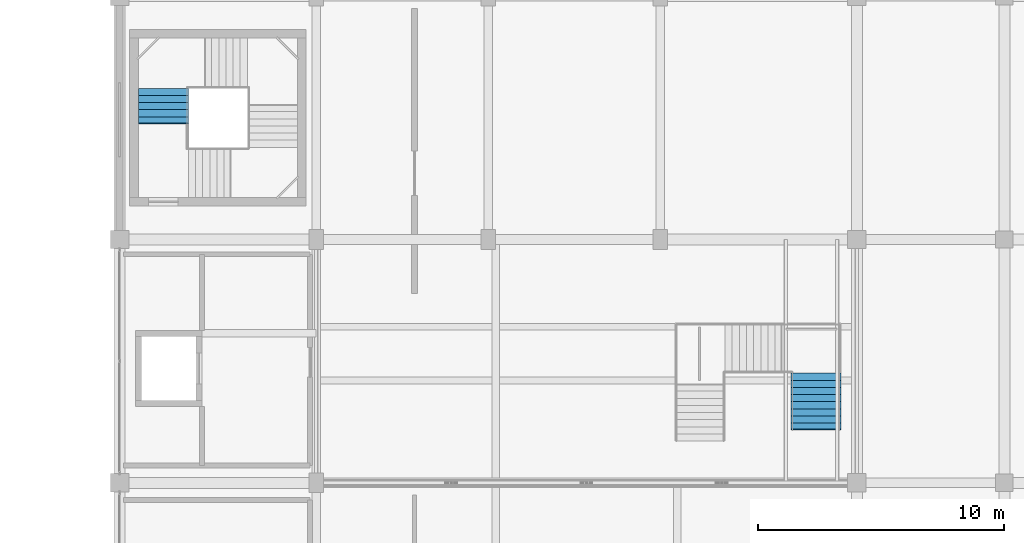
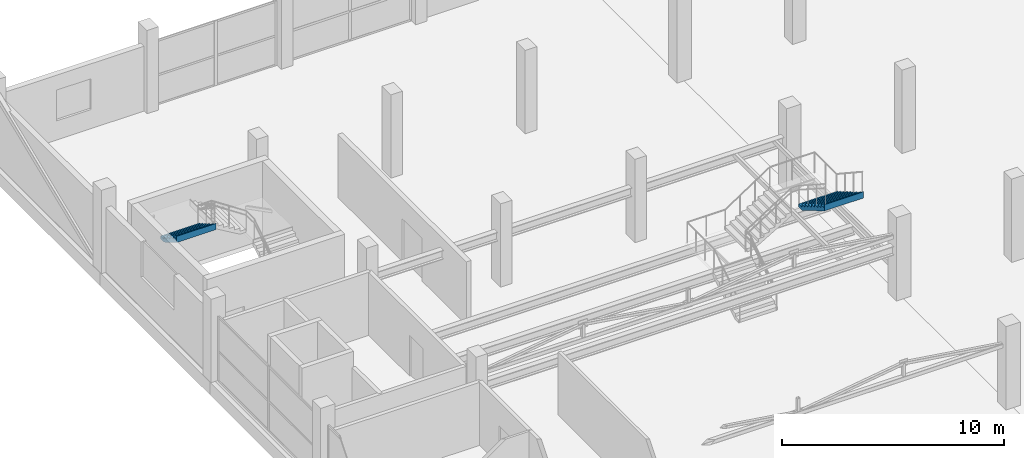
# One storey, part 46 of 49: 2 stair flights, 2 elements without a shape of their own.
"""IFC4 building model written with IfcOpenShell, lengths in metres."""

from ifc_helpers import new_model, si_unit, direction, frame, origin, place, context, subcontext, project, spatial, triangles, material, type_object, element, aggregate, save


model = new_model("IFC4")

# Units and contexts
model_context = context("Model", 3, precision=1e-05, world=origin(), true_north=direction((0.0, 1.0)))
body_context = subcontext(model_context, "Body", "Model", "MODEL_VIEW")
ifc_project = project(units=[si_unit("LENGTHUNIT", "METRE"), si_unit("AREAUNIT", "SQUARE_METRE"), si_unit("VOLUMEUNIT", "CUBIC_METRE"), si_unit("PLANEANGLEUNIT", "RADIAN"), si_unit("MASSUNIT", "GRAM", prefix="KILO")], contexts=[model_context])

# Site, building, storey
site_placement = place(None, origin())
site = spatial("IfcSite", under=ifc_project, at=site_placement, CompositionType="ELEMENT")
building_placement = place(site_placement, origin())
building = spatial("IfcBuilding", under=site, at=building_placement, Name="Sillaruma Civic Art Gallery", CompositionType="ELEMENT")
storey_placement = place(building_placement, frame((0.0, 0.0, 33.14990234375)))
storey = spatial("IfcBuildingStorey", under=building, at=storey_placement, Name="L06", CompositionType="ELEMENT", Elevation=33.14990234375)

# Stair, stair flight
ifc_material = material(Name="Concrete H35 (35 MPa)", Category="concrete")
stair_type_1 = type_object("IfcStairType", Name="STR-4F-27", PredefinedType="USERDEFINED", material=ifc_material)
stair_1_placement = place(storey_placement, origin())
stair_1 = element("IfcStair", 1, at=stair_1_placement, inside=storey, type_object=stair_type_1, Name="Protected Exit Stair ST-02 (West Bar North) (L06)", ObjectType="THREE_RETURN_STAIR", PredefinedType="USERDEFINED")
stair_flight_type_1 = type_object("IfcStairFlightType", Name="SFL-STR-6", PredefinedType="STRAIGHT", material=ifc_material)
stair_flight_1_placement = place(storey_placement, frame((63.780029296875, 85.35009765625, 3.570068359375), z_axis=(0.0, 0.0, 1.0), x_axis=(0.0, -1.0, 0.0)))
stair_flight_1 = element("IfcStairFlight", 2, at=stair_flight_1_placement, type_object=stair_flight_type_1, Name="ST-02 flight 4", NumberOfRisers=6, NumberOfTreads=5, PredefinedType="STRAIGHT", RiserHeight=0.17, TreadLength=0.29, context=body_context, shape_type="Tessellation", body=[
    triangles([(0.0, -1.02001953125, 0.0), (0.29, -1.02001953125, 0.0), (0.296365, -1.02001953125, 0.0), (0.58, -1.02001953125, 0.166269), (0.87, -1.02001953125, 0.336269), (1.16, -1.02001953125, 0.506269), (1.409951, -1.02001953125, 0.652792), (1.449951, -1.02001953125, 0.67624), (1.449951, -1.02001953125, 1.02), (1.409951, -1.02001953125, 1.02), (1.409951, -1.02001953125, 0.85), (1.16, -1.02001953125, 0.85), (1.16, -1.02001953125, 0.68), (0.87, -1.02001953125, 0.68), (0.87, -1.02001953125, 0.51), (0.58, -1.02001953125, 0.51), (0.58, -1.02001953125, 0.34), (0.296365, -1.02001953125, 0.34), (0.29, -1.02001953125, 0.34), (0.29, -1.02001953125, 0.17), (0.0, -1.02001953125, 0.17), (0.0, -0.05, 0.0), (0.29, -0.05, 0.0), (0.296365, -0.05, 0.0), (0.58, -0.05, 0.166269), (0.87, -0.05, 0.336269), (1.16, -0.05, 0.506269), (1.409951, -0.05, 0.652792), (1.449951, -0.05, 0.67624), (1.449951, -0.05, 1.02), (1.409951, -0.05, 1.02), (1.409951, -0.05, 0.85), (1.16, -0.05, 0.85), (1.16, -0.05, 0.68), (0.87, -0.05, 0.68), (0.87, -0.05, 0.51), (0.58, -0.05, 0.51), (0.58, -0.05, 0.34), (0.296365, -0.05, 0.34), (0.29, -0.05, 0.34), (0.29, -0.05, 0.17), (0.0, -0.05, 0.17), (0.0, -0.0375, 0.0), (0.29, -0.0375, 0.0), (0.296365, -0.0375, 0.0), (0.58, -0.0375, 0.166269), (0.87, -0.0375, 0.336269), (1.16, -0.0375, 0.506269), (1.409951, -0.0375, 0.652792), (1.449951, -0.0375, 0.67624), (1.449951, -0.0375, 1.02), (1.409951, -0.0375, 1.02), (1.409951, -0.0375, 0.85), (1.16, -0.0375, 0.85), (1.16, -0.0375, 0.68), (0.87, -0.0375, 0.68), (0.87, -0.0375, 0.51), (0.58, -0.0375, 0.51), (0.58, -0.0375, 0.34), (0.296365, -0.0375, 0.34), (0.29, -0.0375, 0.34), (0.29, -0.0375, 0.17), (0.0, -0.0375, 0.17), (0.0, -0.025, 0.0), (0.29, -0.025, 0.0), (0.296365, -0.025, 0.0), (0.58, -0.025, 0.166269), (0.87, -0.025, 0.336269), (1.16, -0.025, 0.506269), (1.409951, -0.025, 0.652792), (1.449951, -0.025, 0.67624), (1.449951, -0.025, 1.02), (1.409951, -0.025, 1.02), (1.409951, -0.025, 0.85), (1.16, -0.025, 0.85), (1.16, -0.025, 0.68), (0.87, -0.025, 0.68), (0.87, -0.025, 0.51), (0.58, -0.025, 0.51), (0.58, -0.025, 0.34), (0.296365, -0.025, 0.34), (0.29, -0.025, 0.34), (0.29, -0.025, 0.17), (0.0, -0.025, 0.17), (0.0, -0.0125, 0.0), (0.29, -0.0125, 0.0), (0.296365, -0.0125, 0.0), (0.58, -0.0125, 0.166269), (0.87, -0.0125, 0.336269), (1.16, -0.0125, 0.506269), (1.409951, -0.0125, 0.652792), (1.449951, -0.0125, 0.67624), (1.449951, -0.0125, 1.02), (1.409951, -0.0125, 1.02), (1.409951, -0.0125, 0.85), (1.16, -0.0125, 0.85), (1.16, -0.0125, 0.68), (0.87, -0.0125, 0.68), (0.87, -0.0125, 0.51), (0.58, -0.0125, 0.51), (0.58, -0.0125, 0.34), (0.296365, -0.0125, 0.34), (0.29, -0.0125, 0.34), (0.29, -0.0125, 0.17), (0.0, -0.0125, 0.17), (0.0, 0.0, 0.0), (0.29, 0.0, 0.0), (0.296365, 0.0, 0.0), (0.58, 0.0, 0.166269), (0.87, 0.0, 0.336269), (1.16, 0.0, 0.506269), (1.409951, 0.0, 0.652792), (1.449951, 0.0, 0.67624), (1.449951, 0.0, 1.02), (1.409951, 0.0, 1.02), (1.409951, 0.0, 0.85), (1.16, 0.0, 0.85), (1.16, 0.0, 0.68), (0.87, 0.0, 0.68), (0.87, 0.0, 0.51), (0.58, 0.0, 0.51), (0.58, 0.0, 0.34), (0.296365, 0.0, 0.34), (0.29, 0.0, 0.34), (0.29, 0.0, 0.17), (0.0, 0.0, 0.17), (0.0, 0.0125, 0.0), (0.29, 0.0125, 0.0), (0.296365, 0.0125, 0.0), (0.58, 0.0125, 0.166269), (0.87, 0.0125, 0.336269), (1.16, 0.0125, 0.506269), (1.409951, 0.0125, 0.652792), (1.449951, 0.0125, 0.67624), (1.449951, 0.0125, 1.02), (1.409951, 0.0125, 1.02), (1.409951, 0.0125, 0.85), (1.16, 0.0125, 0.85), (1.16, 0.0125, 0.68), (0.87, 0.0125, 0.68), (0.87, 0.0125, 0.51), (0.58, 0.0125, 0.51), (0.58, 0.0125, 0.34), (0.296365, 0.0125, 0.34), (0.29, 0.0125, 0.34), (0.29, 0.0125, 0.17), (0.0, 0.0125, 0.17), (0.0, 0.025, 0.0), (0.29, 0.025, 0.0), (0.296365, 0.025, 0.0), (0.58, 0.025, 0.166269), (0.87, 0.025, 0.336269), (1.16, 0.025, 0.506269), (1.409951, 0.025, 0.652792), (1.449951, 0.025, 0.67624), (1.449951, 0.025, 1.02), (1.409951, 0.025, 1.02), (1.409951, 0.025, 0.85), (1.16, 0.025, 0.85), (1.16, 0.025, 0.68), (0.87, 0.025, 0.68), (0.87, 0.025, 0.51), (0.58, 0.025, 0.51), (0.58, 0.025, 0.34), (0.296365, 0.025, 0.34), (0.29, 0.025, 0.34), (0.29, 0.025, 0.17), (0.0, 0.025, 0.17), (0.0, 0.0375, 0.0), (0.29, 0.0375, 0.0), (0.296365, 0.0375, 0.0), (0.58, 0.0375, 0.166269), (0.87, 0.0375, 0.336269), (1.16, 0.0375, 0.506269), (1.409951, 0.0375, 0.652792), (1.449951, 0.0375, 0.67624), (1.449951, 0.0375, 1.02), (1.409951, 0.0375, 1.02), (1.409951, 0.0375, 0.85), (1.16, 0.0375, 0.85), (1.16, 0.0375, 0.68), (0.87, 0.0375, 0.68), (0.87, 0.0375, 0.51), (0.58, 0.0375, 0.51), (0.58, 0.0375, 0.34), (0.296365, 0.0375, 0.34), (0.29, 0.0375, 0.34), (0.29, 0.0375, 0.17), (0.0, 0.0375, 0.17), (0.0, 0.05, 0.0), (0.29, 0.05, 0.0), (0.296365, 0.05, 0.0), (0.58, 0.05, 0.166269), (0.87, 0.05, 0.336269), (1.16, 0.05, 0.506269), (1.409951, 0.05, 0.652792), (1.449951, 0.05, 0.67624), (1.449951, 0.05, 1.02), (1.409951, 0.05, 1.02), (1.409951, 0.05, 0.85), (1.16, 0.05, 0.85), (1.16, 0.05, 0.68), (0.87, 0.05, 0.68), (0.87, 0.05, 0.51), (0.58, 0.05, 0.51), (0.58, 0.05, 0.34), (0.296365, 0.05, 0.34), (0.29, 0.05, 0.34), (0.29, 0.05, 0.17), (0.0, 0.05, 0.17), (0.0, 1.02001953125, 0.0), (0.29, 1.02001953125, 0.0), (0.296365, 1.02001953125, 0.0), (0.58, 1.02001953125, 0.166269), (0.87, 1.02001953125, 0.336269), (1.16, 1.02001953125, 0.506269), (1.409951, 1.02001953125, 0.652792), (1.449951, 1.02001953125, 0.67624), (1.449951, 1.02001953125, 1.02), (1.409951, 1.02001953125, 1.02), (1.409951, 1.02001953125, 0.85), (1.16, 1.02001953125, 0.85), (1.16, 1.02001953125, 0.68), (0.87, 1.02001953125, 0.68), (0.87, 1.02001953125, 0.51), (0.58, 1.02001953125, 0.51), (0.58, 1.02001953125, 0.34), (0.296365, 1.02001953125, 0.34), (0.29, 1.02001953125, 0.34), (0.29, 1.02001953125, 0.17), (0.0, 1.02001953125, 0.17)], [[1, 2, 20], [1, 20, 21], [2, 3, 18], [2, 18, 20], [20, 18, 19], [3, 4, 17], [3, 17, 18], [4, 5, 15], [4, 15, 17], [17, 15, 16], [5, 6, 13], [5, 13, 15], [15, 13, 14], [6, 7, 11], [6, 11, 13], [13, 11, 12], [7, 8, 9], [7, 9, 11], [11, 9, 10], [230, 212, 211], [231, 230, 211], [228, 213, 212], [230, 228, 212], [229, 228, 230], [227, 214, 213], [228, 227, 213], [225, 215, 214], [227, 225, 214], [226, 225, 227], [223, 216, 215], [225, 223, 215], [224, 223, 225], [221, 217, 216], [223, 221, 216], [222, 221, 223], [219, 218, 217], [221, 219, 217], [220, 219, 221], [2, 1, 22], [2, 22, 23], [3, 2, 23], [3, 23, 24], [4, 3, 24], [4, 24, 25], [5, 4, 25], [5, 25, 26], [6, 5, 26], [6, 26, 27], [7, 6, 27], [7, 27, 28], [8, 7, 28], [8, 28, 29], [9, 8, 29], [9, 29, 30], [10, 9, 30], [10, 30, 31], [11, 10, 31], [11, 31, 32], [12, 11, 32], [12, 32, 33], [13, 12, 33], [13, 33, 34], [14, 13, 34], [14, 34, 35], [15, 14, 35], [15, 35, 36], [16, 15, 36], [16, 36, 37], [17, 16, 37], [17, 37, 38], [18, 17, 38], [18, 38, 39], [19, 18, 39], [19, 39, 40], [20, 19, 40], [20, 40, 41], [21, 20, 41], [21, 41, 42], [1, 21, 42], [1, 42, 22], [23, 22, 43], [23, 43, 44], [24, 23, 44], [24, 44, 45], [25, 24, 45], [25, 45, 46], [26, 25, 46], [26, 46, 47], [27, 26, 47], [27, 47, 48], [28, 27, 48], [28, 48, 49], [29, 28, 49], [29, 49, 50], [30, 29, 50], [30, 50, 51], [31, 30, 51], [31, 51, 52], [32, 31, 52], [32, 52, 53], [33, 32, 53], [33, 53, 54], [34, 33, 54], [34, 54, 55], [35, 34, 55], [35, 55, 56], [36, 35, 56], [36, 56, 57], [37, 36, 57], [37, 57, 58], [38, 37, 58], [38, 58, 59], [39, 38, 59], [39, 59, 60], [40, 39, 60], [40, 60, 61], [41, 40, 61], [41, 61, 62], [42, 41, 62], [42, 62, 63], [22, 42, 63], [22, 63, 43], [44, 43, 64], [44, 64, 65], [45, 44, 65], [45, 65, 66], [46, 45, 66], [46, 66, 67], [47, 46, 67], [47, 67, 68], [48, 47, 68], [48, 68, 69], [49, 48, 69], [49, 69, 70], [50, 49, 70], [50, 70, 71], [51, 50, 71], [51, 71, 72], [52, 51, 72], [52, 72, 73], [53, 52, 73], [53, 73, 74], [54, 53, 74], [54, 74, 75], [55, 54, 75], [55, 75, 76], [56, 55, 76], [56, 76, 77], [57, 56, 77], [57, 77, 78], [58, 57, 78], [58, 78, 79], [59, 58, 79], [59, 79, 80], [60, 59, 80], [60, 80, 81], [61, 60, 81], [61, 81, 82], [62, 61, 82], [62, 82, 83], [63, 62, 83], [63, 83, 84], [43, 63, 84], [43, 84, 64], [65, 64, 85], [65, 85, 86], [66, 65, 86], [66, 86, 87], [67, 66, 87], [67, 87, 88], [68, 67, 88], [68, 88, 89], [69, 68, 89], [69, 89, 90], [70, 69, 90], [70, 90, 91], [71, 70, 91], [71, 91, 92], [72, 71, 92], [72, 92, 93], [73, 72, 93], [73, 93, 94], [74, 73, 94], [74, 94, 95], [75, 74, 95], [75, 95, 96], [76, 75, 96], [76, 96, 97], [77, 76, 97], [77, 97, 98], [78, 77, 98], [78, 98, 99], [79, 78, 99], [79, 99, 100], [80, 79, 100], [80, 100, 101], [81, 80, 101], [81, 101, 102], [82, 81, 102], [82, 102, 103], [83, 82, 103], [83, 103, 104], [84, 83, 104], [84, 104, 105], [64, 84, 105], [64, 105, 85], [86, 85, 106], [86, 106, 107], [87, 86, 107], [87, 107, 108], [88, 87, 108], [88, 108, 109], [89, 88, 109], [89, 109, 110], [90, 89, 110], [90, 110, 111], [91, 90, 111], [91, 111, 112], [92, 91, 112], [92, 112, 113], [93, 92, 113], [93, 113, 114], [94, 93, 114], [94, 114, 115], [95, 94, 115], [95, 115, 116], [96, 95, 116], [96, 116, 117], [97, 96, 117], [97, 117, 118], [98, 97, 118], [98, 118, 119], [99, 98, 119], [99, 119, 120], [100, 99, 120], [100, 120, 121], [101, 100, 121], [101, 121, 122], [102, 101, 122], [102, 122, 123], [103, 102, 123], [103, 123, 124], [104, 103, 124], [104, 124, 125], [105, 104, 125], [105, 125, 126], [85, 105, 126], [85, 126, 106], [107, 106, 127], [107, 127, 128], [108, 107, 128], [108, 128, 129], [109, 108, 129], [109, 129, 130], [110, 109, 130], [110, 130, 131], [111, 110, 131], [111, 131, 132], [112, 111, 132], [112, 132, 133], [113, 112, 133], [113, 133, 134], [114, 113, 134], [114, 134, 135], [115, 114, 135], [115, 135, 136], [116, 115, 136], [116, 136, 137], [117, 116, 137], [117, 137, 138], [118, 117, 138], [118, 138, 139], [119, 118, 139], [119, 139, 140], [120, 119, 140], [120, 140, 141], [121, 120, 141], [121, 141, 142], [122, 121, 142], [122, 142, 143], [123, 122, 143], [123, 143, 144], [124, 123, 144], [124, 144, 145], [125, 124, 145], [125, 145, 146], [126, 125, 146], [126, 146, 147], [106, 126, 147], [106, 147, 127], [128, 127, 148], [128, 148, 149], [129, 128, 149], [129, 149, 150], [130, 129, 150], [130, 150, 151], [131, 130, 151], [131, 151, 152], [132, 131, 152], [132, 152, 153], [133, 132, 153], [133, 153, 154], [134, 133, 154], [134, 154, 155], [135, 134, 155], [135, 155, 156], [136, 135, 156], [136, 156, 157], [137, 136, 157], [137, 157, 158], [138, 137, 158], [138, 158, 159], [139, 138, 159], [139, 159, 160], [140, 139, 160], [140, 160, 161], [141, 140, 161], [141, 161, 162], [142, 141, 162], [142, 162, 163], [143, 142, 163], [143, 163, 164], [144, 143, 164], [144, 164, 165], [145, 144, 165], [145, 165, 166], [146, 145, 166], [146, 166, 167], [147, 146, 167], [147, 167, 168], [127, 147, 168], [127, 168, 148], [149, 148, 169], [149, 169, 170], [150, 149, 170], [150, 170, 171], [151, 150, 171], [151, 171, 172], [152, 151, 172], [152, 172, 173], [153, 152, 173], [153, 173, 174], [154, 153, 174], [154, 174, 175], [155, 154, 175], [155, 175, 176], [156, 155, 176], [156, 176, 177], [157, 156, 177], [157, 177, 178], [158, 157, 178], [158, 178, 179], [159, 158, 179], [159, 179, 180], [160, 159, 180], [160, 180, 181], [161, 160, 181], [161, 181, 182], [162, 161, 182], [162, 182, 183], [163, 162, 183], [163, 183, 184], [164, 163, 184], [164, 184, 185], [165, 164, 185], [165, 185, 186], [166, 165, 186], [166, 186, 187], [167, 166, 187], [167, 187, 188], [168, 167, 188], [168, 188, 189], [148, 168, 189], [148, 189, 169], [170, 169, 190], [170, 190, 191], [171, 170, 191], [171, 191, 192], [172, 171, 192], [172, 192, 193], [173, 172, 193], [173, 193, 194], [174, 173, 194], [174, 194, 195], [175, 174, 195], [175, 195, 196], [176, 175, 196], [176, 196, 197], [177, 176, 197], [177, 197, 198], [178, 177, 198], [178, 198, 199], [179, 178, 199], [179, 199, 200], [180, 179, 200], [180, 200, 201], [181, 180, 201], [181, 201, 202], [182, 181, 202], [182, 202, 203], [183, 182, 203], [183, 203, 204], [184, 183, 204], [184, 204, 205], [185, 184, 205], [185, 205, 206], [186, 185, 206], [186, 206, 207], [187, 186, 207], [187, 207, 208], [188, 187, 208], [188, 208, 209], [189, 188, 209], [189, 209, 210], [169, 189, 210], [169, 210, 190], [191, 190, 211], [191, 211, 212], [192, 191, 212], [192, 212, 213], [193, 192, 213], [193, 213, 214], [194, 193, 214], [194, 214, 215], [195, 194, 215], [195, 215, 216], [196, 195, 216], [196, 216, 217], [197, 196, 217], [197, 217, 218], [198, 197, 218], [198, 218, 219], [199, 198, 219], [199, 219, 220], [200, 199, 220], [200, 220, 221], [201, 200, 221], [201, 221, 222], [202, 201, 222], [202, 222, 223], [203, 202, 223], [203, 223, 224], [204, 203, 224], [204, 224, 225], [205, 204, 225], [205, 225, 226], [206, 205, 226], [206, 226, 227], [207, 206, 227], [207, 227, 228], [208, 207, 228], [208, 228, 229], [209, 208, 229], [209, 229, 230], [210, 209, 230], [210, 230, 231], [190, 210, 231], [190, 231, 211]], closed=True),
])
aggregate(stair_1, [stair_flight_1])

stair_type_2 = type_object("IfcStairType", Name="STR-3F-27", PredefinedType="TWO_QUARTER_TURN_STAIR", material=ifc_material)
stair_2_placement = place(storey_placement, origin())
stair_2 = element("IfcStair", 3, at=stair_2_placement, inside=storey, type_object=stair_type_2, Name="Monumental Gallery Feature Stair ST-G03 (L06)", PredefinedType="TWO_QUARTER_TURN_STAIR")
stair_flight_type_2 = type_object("IfcStairFlightType", Name="SFL-STR-9", PredefinedType="STRAIGHT", material=ifc_material)
stair_flight_2_placement = place(storey_placement, frame((90.340087890625, 73.760009765625, 3.06005859375), z_axis=(0.0, 0.0, 1.0), x_axis=(0.0, -1.0, 0.0)))
stair_flight_2 = element("IfcStairFlight", 4, at=stair_flight_2_placement, type_object=stair_flight_type_2, Name="ST-G03 flight 3", NumberOfRisers=9, NumberOfTreads=8, PredefinedType="STRAIGHT", RiserHeight=0.17, TreadLength=0.29, context=body_context, shape_type="Tessellation", body=[
    triangles([(0.0, -1.02001953125, 0.0), (0.29, -1.02001953125, 0.0), (0.296482, -1.02001953125, 0.0), (0.58, -1.02001953125, 0.1662), (0.87, -1.02001953125, 0.3362), (1.16, -1.02001953125, 0.5062), (1.45, -1.02001953125, 0.6762), (1.74, -1.02001953125, 0.8462), (2.03, -1.02001953125, 1.0162), (2.280068, -1.02001953125, 1.162792), (2.320068, -1.02001953125, 1.18624), (2.320068, -1.02001953125, 1.53), (2.280068, -1.02001953125, 1.53), (2.280068, -1.02001953125, 1.36), (2.03, -1.02001953125, 1.36), (2.03, -1.02001953125, 1.19), (1.74, -1.02001953125, 1.19), (1.74, -1.02001953125, 1.02), (1.45, -1.02001953125, 1.02), (1.45, -1.02001953125, 0.85), (1.16, -1.02001953125, 0.85), (1.16, -1.02001953125, 0.68), (0.87, -1.02001953125, 0.68), (0.87, -1.02001953125, 0.51), (0.58, -1.02001953125, 0.51), (0.58, -1.02001953125, 0.34), (0.296482, -1.02001953125, 0.34), (0.29, -1.02001953125, 0.34), (0.29, -1.02001953125, 0.17), (0.0, -1.02001953125, 0.17), (0.0, -0.05, 0.0), (0.29, -0.05, 0.0), (0.296482, -0.05, 0.0), (0.58, -0.05, 0.1662), (0.87, -0.05, 0.3362), (1.16, -0.05, 0.5062), (1.45, -0.05, 0.6762), (1.74, -0.05, 0.8462), (2.03, -0.05, 1.0162), (2.280068, -0.05, 1.162792), (2.320068, -0.05, 1.18624), (2.320068, -0.05, 1.53), (2.280068, -0.05, 1.53), (2.280068, -0.05, 1.36), (2.03, -0.05, 1.36), (2.03, -0.05, 1.19), (1.74, -0.05, 1.19), (1.74, -0.05, 1.02), (1.45, -0.05, 1.02), (1.45, -0.05, 0.85), (1.16, -0.05, 0.85), (1.16, -0.05, 0.68), (0.87, -0.05, 0.68), (0.87, -0.05, 0.51), (0.58, -0.05, 0.51), (0.58, -0.05, 0.34), (0.296482, -0.05, 0.34), (0.29, -0.05, 0.34), (0.29, -0.05, 0.17), (0.0, -0.05, 0.17), (0.0, -0.0375, 0.0), (0.29, -0.0375, 0.0), (0.296482, -0.0375, 0.0), (0.58, -0.0375, 0.1662), (0.87, -0.0375, 0.3362), (1.16, -0.0375, 0.5062), (1.45, -0.0375, 0.6762), (1.74, -0.0375, 0.8462), (2.03, -0.0375, 1.0162), (2.280068, -0.0375, 1.162792), (2.320068, -0.0375, 1.18624), (2.320068, -0.0375, 1.53), (2.280068, -0.0375, 1.53), (2.280068, -0.0375, 1.36), (2.03, -0.0375, 1.36), (2.03, -0.0375, 1.19), (1.74, -0.0375, 1.19), (1.74, -0.0375, 1.02), (1.45, -0.0375, 1.02), (1.45, -0.0375, 0.85), (1.16, -0.0375, 0.85), (1.16, -0.0375, 0.68), (0.87, -0.0375, 0.68), (0.87, -0.0375, 0.51), (0.58, -0.0375, 0.51), (0.58, -0.0375, 0.34), (0.296482, -0.0375, 0.34), (0.29, -0.0375, 0.34), (0.29, -0.0375, 0.17), (0.0, -0.0375, 0.17), (0.0, -0.025, 0.0), (0.29, -0.025, 0.0), (0.296482, -0.025, 0.0), (0.58, -0.025, 0.1662), (0.87, -0.025, 0.3362), (1.16, -0.025, 0.5062), (1.45, -0.025, 0.6762), (1.74, -0.025, 0.8462), (2.03, -0.025, 1.0162), (2.280068, -0.025, 1.162792), (2.320068, -0.025, 1.18624), (2.320068, -0.025, 1.53), (2.280068, -0.025, 1.53), (2.280068, -0.025, 1.36), (2.03, -0.025, 1.36), (2.03, -0.025, 1.19), (1.74, -0.025, 1.19), (1.74, -0.025, 1.02), (1.45, -0.025, 1.02), (1.45, -0.025, 0.85), (1.16, -0.025, 0.85), (1.16, -0.025, 0.68), (0.87, -0.025, 0.68), (0.87, -0.025, 0.51), (0.58, -0.025, 0.51), (0.58, -0.025, 0.34), (0.296482, -0.025, 0.34), (0.29, -0.025, 0.34), (0.29, -0.025, 0.17), (0.0, -0.025, 0.17), (0.0, -0.0125, 0.0), (0.29, -0.0125, 0.0), (0.296482, -0.0125, 0.0), (0.58, -0.0125, 0.1662), (0.87, -0.0125, 0.3362), (1.16, -0.0125, 0.5062), (1.45, -0.0125, 0.6762), (1.74, -0.0125, 0.8462), (2.03, -0.0125, 1.0162), (2.280068, -0.0125, 1.162792), (2.320068, -0.0125, 1.18624), (2.320068, -0.0125, 1.53), (2.280068, -0.0125, 1.53), (2.280068, -0.0125, 1.36), (2.03, -0.0125, 1.36), (2.03, -0.0125, 1.19), (1.74, -0.0125, 1.19), (1.74, -0.0125, 1.02), (1.45, -0.0125, 1.02), (1.45, -0.0125, 0.85), (1.16, -0.0125, 0.85), (1.16, -0.0125, 0.68), (0.87, -0.0125, 0.68), (0.87, -0.0125, 0.51), (0.58, -0.0125, 0.51), (0.58, -0.0125, 0.34), (0.296482, -0.0125, 0.34), (0.29, -0.0125, 0.34), (0.29, -0.0125, 0.17), (0.0, -0.0125, 0.17), (0.0, 0.0, 0.0), (0.29, 0.0, 0.0), (0.296482, 0.0, 0.0), (0.58, 0.0, 0.1662), (0.87, 0.0, 0.3362), (1.16, 0.0, 0.5062), (1.45, 0.0, 0.6762), (1.74, 0.0, 0.8462), (2.03, 0.0, 1.0162), (2.280068, 0.0, 1.162792), (2.320068, 0.0, 1.18624), (2.320068, 0.0, 1.53), (2.280068, 0.0, 1.53), (2.280068, 0.0, 1.36), (2.03, 0.0, 1.36), (2.03, 0.0, 1.19), (1.74, 0.0, 1.19), (1.74, 0.0, 1.02), (1.45, 0.0, 1.02), (1.45, 0.0, 0.85), (1.16, 0.0, 0.85), (1.16, 0.0, 0.68), (0.87, 0.0, 0.68), (0.87, 0.0, 0.51), (0.58, 0.0, 0.51), (0.58, 0.0, 0.34), (0.296482, 0.0, 0.34), (0.29, 0.0, 0.34), (0.29, 0.0, 0.17), (0.0, 0.0, 0.17), (0.0, 0.0125, 0.0), (0.29, 0.0125, 0.0), (0.296482, 0.0125, 0.0), (0.58, 0.0125, 0.1662), (0.87, 0.0125, 0.3362), (1.16, 0.0125, 0.5062), (1.45, 0.0125, 0.6762), (1.74, 0.0125, 0.8462), (2.03, 0.0125, 1.0162), (2.280068, 0.0125, 1.162792), (2.320068, 0.0125, 1.18624), (2.320068, 0.0125, 1.53), (2.280068, 0.0125, 1.53), (2.280068, 0.0125, 1.36), (2.03, 0.0125, 1.36), (2.03, 0.0125, 1.19), (1.74, 0.0125, 1.19), (1.74, 0.0125, 1.02), (1.45, 0.0125, 1.02), (1.45, 0.0125, 0.85), (1.16, 0.0125, 0.85), (1.16, 0.0125, 0.68), (0.87, 0.0125, 0.68), (0.87, 0.0125, 0.51), (0.58, 0.0125, 0.51), (0.58, 0.0125, 0.34), (0.296482, 0.0125, 0.34), (0.29, 0.0125, 0.34), (0.29, 0.0125, 0.17), (0.0, 0.0125, 0.17), (0.0, 0.025, 0.0), (0.29, 0.025, 0.0), (0.296482, 0.025, 0.0), (0.58, 0.025, 0.1662), (0.87, 0.025, 0.3362), (1.16, 0.025, 0.5062), (1.45, 0.025, 0.6762), (1.74, 0.025, 0.8462), (2.03, 0.025, 1.0162), (2.280068, 0.025, 1.162792), (2.320068, 0.025, 1.18624), (2.320068, 0.025, 1.53), (2.280068, 0.025, 1.53), (2.280068, 0.025, 1.36), (2.03, 0.025, 1.36), (2.03, 0.025, 1.19), (1.74, 0.025, 1.19), (1.74, 0.025, 1.02), (1.45, 0.025, 1.02), (1.45, 0.025, 0.85), (1.16, 0.025, 0.85), (1.16, 0.025, 0.68), (0.87, 0.025, 0.68), (0.87, 0.025, 0.51), (0.58, 0.025, 0.51), (0.58, 0.025, 0.34), (0.296482, 0.025, 0.34), (0.29, 0.025, 0.34), (0.29, 0.025, 0.17), (0.0, 0.025, 0.17), (0.0, 0.0375, 0.0), (0.29, 0.0375, 0.0), (0.296482, 0.0375, 0.0), (0.58, 0.0375, 0.1662), (0.87, 0.0375, 0.3362), (1.16, 0.0375, 0.5062), (1.45, 0.0375, 0.6762), (1.74, 0.0375, 0.8462), (2.03, 0.0375, 1.0162), (2.280068, 0.0375, 1.162792), (2.320068, 0.0375, 1.18624), (2.320068, 0.0375, 1.53), (2.280068, 0.0375, 1.53), (2.280068, 0.0375, 1.36), (2.03, 0.0375, 1.36), (2.03, 0.0375, 1.19), (1.74, 0.0375, 1.19), (1.74, 0.0375, 1.02), (1.45, 0.0375, 1.02), (1.45, 0.0375, 0.85), (1.16, 0.0375, 0.85), (1.16, 0.0375, 0.68), (0.87, 0.0375, 0.68), (0.87, 0.0375, 0.51), (0.58, 0.0375, 0.51), (0.58, 0.0375, 0.34), (0.296482, 0.0375, 0.34), (0.29, 0.0375, 0.34), (0.29, 0.0375, 0.17), (0.0, 0.0375, 0.17), (0.0, 0.05, 0.0), (0.29, 0.05, 0.0), (0.296482, 0.05, 0.0), (0.58, 0.05, 0.1662), (0.87, 0.05, 0.3362), (1.16, 0.05, 0.5062), (1.45, 0.05, 0.6762), (1.74, 0.05, 0.8462), (2.03, 0.05, 1.0162), (2.280068, 0.05, 1.162792), (2.320068, 0.05, 1.18624), (2.320068, 0.05, 1.53), (2.280068, 0.05, 1.53), (2.280068, 0.05, 1.36), (2.03, 0.05, 1.36), (2.03, 0.05, 1.19), (1.74, 0.05, 1.19), (1.74, 0.05, 1.02), (1.45, 0.05, 1.02), (1.45, 0.05, 0.85), (1.16, 0.05, 0.85), (1.16, 0.05, 0.68), (0.87, 0.05, 0.68), (0.87, 0.05, 0.51), (0.58, 0.05, 0.51), (0.58, 0.05, 0.34), (0.296482, 0.05, 0.34), (0.29, 0.05, 0.34), (0.29, 0.05, 0.17), (0.0, 0.05, 0.17), (0.0, 1.02001953125, 0.0), (0.29, 1.02001953125, 0.0), (0.296482, 1.02001953125, 0.0), (0.58, 1.02001953125, 0.1662), (0.87, 1.02001953125, 0.3362), (1.16, 1.02001953125, 0.5062), (1.45, 1.02001953125, 0.6762), (1.74, 1.02001953125, 0.8462), (2.03, 1.02001953125, 1.0162), (2.280068, 1.02001953125, 1.162792), (2.320068, 1.02001953125, 1.18624), (2.320068, 1.02001953125, 1.53), (2.280068, 1.02001953125, 1.53), (2.280068, 1.02001953125, 1.36), (2.03, 1.02001953125, 1.36), (2.03, 1.02001953125, 1.19), (1.74, 1.02001953125, 1.19), (1.74, 1.02001953125, 1.02), (1.45, 1.02001953125, 1.02), (1.45, 1.02001953125, 0.85), (1.16, 1.02001953125, 0.85), (1.16, 1.02001953125, 0.68), (0.87, 1.02001953125, 0.68), (0.87, 1.02001953125, 0.51), (0.58, 1.02001953125, 0.51), (0.58, 1.02001953125, 0.34), (0.296482, 1.02001953125, 0.34), (0.29, 1.02001953125, 0.34), (0.29, 1.02001953125, 0.17), (0.0, 1.02001953125, 0.17)], [[1, 2, 29], [1, 29, 30], [2, 3, 27], [2, 27, 29], [29, 27, 28], [3, 4, 26], [3, 26, 27], [4, 5, 24], [4, 24, 26], [26, 24, 25], [5, 6, 22], [5, 22, 24], [24, 22, 23], [6, 7, 20], [6, 20, 22], [22, 20, 21], [7, 8, 18], [7, 18, 20], [20, 18, 19], [8, 9, 16], [8, 16, 18], [18, 16, 17], [9, 10, 14], [9, 14, 16], [16, 14, 15], [10, 11, 12], [10, 12, 14], [14, 12, 13], [329, 302, 301], [330, 329, 301], [327, 303, 302], [329, 327, 302], [328, 327, 329], [326, 304, 303], [327, 326, 303], [324, 305, 304], [326, 324, 304], [325, 324, 326], [322, 306, 305], [324, 322, 305], [323, 322, 324], [320, 307, 306], [322, 320, 306], [321, 320, 322], [318, 308, 307], [320, 318, 307], [319, 318, 320], [316, 309, 308], [318, 316, 308], [317, 316, 318], [314, 310, 309], [316, 314, 309], [315, 314, 316], [312, 311, 310], [314, 312, 310], [313, 312, 314], [2, 1, 31], [2, 31, 32], [3, 2, 32], [3, 32, 33], [4, 3, 33], [4, 33, 34], [5, 4, 34], [5, 34, 35], [6, 5, 35], [6, 35, 36], [7, 6, 36], [7, 36, 37], [8, 7, 37], [8, 37, 38], [9, 8, 38], [9, 38, 39], [10, 9, 39], [10, 39, 40], [11, 10, 40], [11, 40, 41], [12, 11, 41], [12, 41, 42], [13, 12, 42], [13, 42, 43], [14, 13, 43], [14, 43, 44], [15, 14, 44], [15, 44, 45], [16, 15, 45], [16, 45, 46], [17, 16, 46], [17, 46, 47], [18, 17, 47], [18, 47, 48], [19, 18, 48], [19, 48, 49], [20, 19, 49], [20, 49, 50], [21, 20, 50], [21, 50, 51], [22, 21, 51], [22, 51, 52], [23, 22, 52], [23, 52, 53], [24, 23, 53], [24, 53, 54], [25, 24, 54], [25, 54, 55], [26, 25, 55], [26, 55, 56], [27, 26, 56], [27, 56, 57], [28, 27, 57], [28, 57, 58], [29, 28, 58], [29, 58, 59], [30, 29, 59], [30, 59, 60], [1, 30, 60], [1, 60, 31], [32, 31, 61], [32, 61, 62], [33, 32, 62], [33, 62, 63], [34, 33, 63], [34, 63, 64], [35, 34, 64], [35, 64, 65], [36, 35, 65], [36, 65, 66], [37, 36, 66], [37, 66, 67], [38, 37, 67], [38, 67, 68], [39, 38, 68], [39, 68, 69], [40, 39, 69], [40, 69, 70], [41, 40, 70], [41, 70, 71], [42, 41, 71], [42, 71, 72], [43, 42, 72], [43, 72, 73], [44, 43, 73], [44, 73, 74], [45, 44, 74], [45, 74, 75], [46, 45, 75], [46, 75, 76], [47, 46, 76], [47, 76, 77], [48, 47, 77], [48, 77, 78], [49, 48, 78], [49, 78, 79], [50, 49, 79], [50, 79, 80], [51, 50, 80], [51, 80, 81], [52, 51, 81], [52, 81, 82], [53, 52, 82], [53, 82, 83], [54, 53, 83], [54, 83, 84], [55, 54, 84], [55, 84, 85], [56, 55, 85], [56, 85, 86], [57, 56, 86], [57, 86, 87], [58, 57, 87], [58, 87, 88], [59, 58, 88], [59, 88, 89], [60, 59, 89], [60, 89, 90], [31, 60, 90], [31, 90, 61], [62, 61, 91], [62, 91, 92], [63, 62, 92], [63, 92, 93], [64, 63, 93], [64, 93, 94], [65, 64, 94], [65, 94, 95], [66, 65, 95], [66, 95, 96], [67, 66, 96], [67, 96, 97], [68, 67, 97], [68, 97, 98], [69, 68, 98], [69, 98, 99], [70, 69, 99], [70, 99, 100], [71, 70, 100], [71, 100, 101], [72, 71, 101], [72, 101, 102], [73, 72, 102], [73, 102, 103], [74, 73, 103], [74, 103, 104], [75, 74, 104], [75, 104, 105], [76, 75, 105], [76, 105, 106], [77, 76, 106], [77, 106, 107], [78, 77, 107], [78, 107, 108], [79, 78, 108], [79, 108, 109], [80, 79, 109], [80, 109, 110], [81, 80, 110], [81, 110, 111], [82, 81, 111], [82, 111, 112], [83, 82, 112], [83, 112, 113], [84, 83, 113], [84, 113, 114], [85, 84, 114], [85, 114, 115], [86, 85, 115], [86, 115, 116], [87, 86, 116], [87, 116, 117], [88, 87, 117], [88, 117, 118], [89, 88, 118], [89, 118, 119], [90, 89, 119], [90, 119, 120], [61, 90, 120], [61, 120, 91], [92, 91, 121], [92, 121, 122], [93, 92, 122], [93, 122, 123], [94, 93, 123], [94, 123, 124], [95, 94, 124], [95, 124, 125], [96, 95, 125], [96, 125, 126], [97, 96, 126], [97, 126, 127], [98, 97, 127], [98, 127, 128], [99, 98, 128], [99, 128, 129], [100, 99, 129], [100, 129, 130], [101, 100, 130], [101, 130, 131], [102, 101, 131], [102, 131, 132], [103, 102, 132], [103, 132, 133], [104, 103, 133], [104, 133, 134], [105, 104, 134], [105, 134, 135], [106, 105, 135], [106, 135, 136], [107, 106, 136], [107, 136, 137], [108, 107, 137], [108, 137, 138], [109, 108, 138], [109, 138, 139], [110, 109, 139], [110, 139, 140], [111, 110, 140], [111, 140, 141], [112, 111, 141], [112, 141, 142], [113, 112, 142], [113, 142, 143], [114, 113, 143], [114, 143, 144], [115, 114, 144], [115, 144, 145], [116, 115, 145], [116, 145, 146], [117, 116, 146], [117, 146, 147], [118, 117, 147], [118, 147, 148], [119, 118, 148], [119, 148, 149], [120, 119, 149], [120, 149, 150], [91, 120, 150], [91, 150, 121], [122, 121, 151], [122, 151, 152], [123, 122, 152], [123, 152, 153], [124, 123, 153], [124, 153, 154], [125, 124, 154], [125, 154, 155], [126, 125, 155], [126, 155, 156], [127, 126, 156], [127, 156, 157], [128, 127, 157], [128, 157, 158], [129, 128, 158], [129, 158, 159], [130, 129, 159], [130, 159, 160], [131, 130, 160], [131, 160, 161], [132, 131, 161], [132, 161, 162], [133, 132, 162], [133, 162, 163], [134, 133, 163], [134, 163, 164], [135, 134, 164], [135, 164, 165], [136, 135, 165], [136, 165, 166], [137, 136, 166], [137, 166, 167], [138, 137, 167], [138, 167, 168], [139, 138, 168], [139, 168, 169], [140, 139, 169], [140, 169, 170], [141, 140, 170], [141, 170, 171], [142, 141, 171], [142, 171, 172], [143, 142, 172], [143, 172, 173], [144, 143, 173], [144, 173, 174], [145, 144, 174], [145, 174, 175], [146, 145, 175], [146, 175, 176], [147, 146, 176], [147, 176, 177], [148, 147, 177], [148, 177, 178], [149, 148, 178], [149, 178, 179], [150, 149, 179], [150, 179, 180], [121, 150, 180], [121, 180, 151], [152, 151, 181], [152, 181, 182], [153, 152, 182], [153, 182, 183], [154, 153, 183], [154, 183, 184], [155, 154, 184], [155, 184, 185], [156, 155, 185], [156, 185, 186], [157, 156, 186], [157, 186, 187], [158, 157, 187], [158, 187, 188], [159, 158, 188], [159, 188, 189], [160, 159, 189], [160, 189, 190], [161, 160, 190], [161, 190, 191], [162, 161, 191], [162, 191, 192], [163, 162, 192], [163, 192, 193], [164, 163, 193], [164, 193, 194], [165, 164, 194], [165, 194, 195], [166, 165, 195], [166, 195, 196], [167, 166, 196], [167, 196, 197], [168, 167, 197], [168, 197, 198], [169, 168, 198], [169, 198, 199], [170, 169, 199], [170, 199, 200], [171, 170, 200], [171, 200, 201], [172, 171, 201], [172, 201, 202], [173, 172, 202], [173, 202, 203], [174, 173, 203], [174, 203, 204], [175, 174, 204], [175, 204, 205], [176, 175, 205], [176, 205, 206], [177, 176, 206], [177, 206, 207], [178, 177, 207], [178, 207, 208], [179, 178, 208], [179, 208, 209], [180, 179, 209], [180, 209, 210], [151, 180, 210], [151, 210, 181], [182, 181, 211], [182, 211, 212], [183, 182, 212], [183, 212, 213], [184, 183, 213], [184, 213, 214], [185, 184, 214], [185, 214, 215], [186, 185, 215], [186, 215, 216], [187, 186, 216], [187, 216, 217], [188, 187, 217], [188, 217, 218], [189, 188, 218], [189, 218, 219], [190, 189, 219], [190, 219, 220], [191, 190, 220], [191, 220, 221], [192, 191, 221], [192, 221, 222], [193, 192, 222], [193, 222, 223], [194, 193, 223], [194, 223, 224], [195, 194, 224], [195, 224, 225], [196, 195, 225], [196, 225, 226], [197, 196, 226], [197, 226, 227], [198, 197, 227], [198, 227, 228], [199, 198, 228], [199, 228, 229], [200, 199, 229], [200, 229, 230], [201, 200, 230], [201, 230, 231], [202, 201, 231], [202, 231, 232], [203, 202, 232], [203, 232, 233], [204, 203, 233], [204, 233, 234], [205, 204, 234], [205, 234, 235], [206, 205, 235], [206, 235, 236], [207, 206, 236], [207, 236, 237], [208, 207, 237], [208, 237, 238], [209, 208, 238], [209, 238, 239], [210, 209, 239], [210, 239, 240], [181, 210, 240], [181, 240, 211], [212, 211, 241], [212, 241, 242], [213, 212, 242], [213, 242, 243], [214, 213, 243], [214, 243, 244], [215, 214, 244], [215, 244, 245], [216, 215, 245], [216, 245, 246], [217, 216, 246], [217, 246, 247], [218, 217, 247], [218, 247, 248], [219, 218, 248], [219, 248, 249], [220, 219, 249], [220, 249, 250], [221, 220, 250], [221, 250, 251], [222, 221, 251], [222, 251, 252], [223, 222, 252], [223, 252, 253], [224, 223, 253], [224, 253, 254], [225, 224, 254], [225, 254, 255], [226, 225, 255], [226, 255, 256], [227, 226, 256], [227, 256, 257], [228, 227, 257], [228, 257, 258], [229, 228, 258], [229, 258, 259], [230, 229, 259], [230, 259, 260], [231, 230, 260], [231, 260, 261], [232, 231, 261], [232, 261, 262], [233, 232, 262], [233, 262, 263], [234, 233, 263], [234, 263, 264], [235, 234, 264], [235, 264, 265], [236, 235, 265], [236, 265, 266], [237, 236, 266], [237, 266, 267], [238, 237, 267], [238, 267, 268], [239, 238, 268], [239, 268, 269], [240, 239, 269], [240, 269, 270], [211, 240, 270], [211, 270, 241], [242, 241, 271], [242, 271, 272], [243, 242, 272], [243, 272, 273], [244, 243, 273], [244, 273, 274], [245, 244, 274], [245, 274, 275], [246, 245, 275], [246, 275, 276], [247, 246, 276], [247, 276, 277], [248, 247, 277], [248, 277, 278], [249, 248, 278], [249, 278, 279], [250, 249, 279], [250, 279, 280], [251, 250, 280], [251, 280, 281], [252, 251, 281], [252, 281, 282], [253, 252, 282], [253, 282, 283], [254, 253, 283], [254, 283, 284], [255, 254, 284], [255, 284, 285], [256, 255, 285], [256, 285, 286], [257, 256, 286], [257, 286, 287], [258, 257, 287], [258, 287, 288], [259, 258, 288], [259, 288, 289], [260, 259, 289], [260, 289, 290], [261, 260, 290], [261, 290, 291], [262, 261, 291], [262, 291, 292], [263, 262, 292], [263, 292, 293], [264, 263, 293], [264, 293, 294], [265, 264, 294], [265, 294, 295], [266, 265, 295], [266, 295, 296], [267, 266, 296], [267, 296, 297], [268, 267, 297], [268, 297, 298], [269, 268, 298], [269, 298, 299], [270, 269, 299], [270, 299, 300], [241, 270, 300], [241, 300, 271], [272, 271, 301], [272, 301, 302], [273, 272, 302], [273, 302, 303], [274, 273, 303], [274, 303, 304], [275, 274, 304], [275, 304, 305], [276, 275, 305], [276, 305, 306], [277, 276, 306], [277, 306, 307], [278, 277, 307], [278, 307, 308], [279, 278, 308], [279, 308, 309], [280, 279, 309], [280, 309, 310], [281, 280, 310], [281, 310, 311], [282, 281, 311], [282, 311, 312], [283, 282, 312], [283, 312, 313], [284, 283, 313], [284, 313, 314], [285, 284, 314], [285, 314, 315], [286, 285, 315], [286, 315, 316], [287, 286, 316], [287, 316, 317], [288, 287, 317], [288, 317, 318], [289, 288, 318], [289, 318, 319], [290, 289, 319], [290, 319, 320], [291, 290, 320], [291, 320, 321], [292, 291, 321], [292, 321, 322], [293, 292, 322], [293, 322, 323], [294, 293, 323], [294, 323, 324], [295, 294, 324], [295, 324, 325], [296, 295, 325], [296, 325, 326], [297, 296, 326], [297, 326, 327], [298, 297, 327], [298, 327, 328], [299, 298, 328], [299, 328, 329], [300, 299, 329], [300, 329, 330], [271, 300, 330], [271, 330, 301]], closed=True),
])
aggregate(stair_2, [stair_flight_2])

save(model, "model.ifc")
